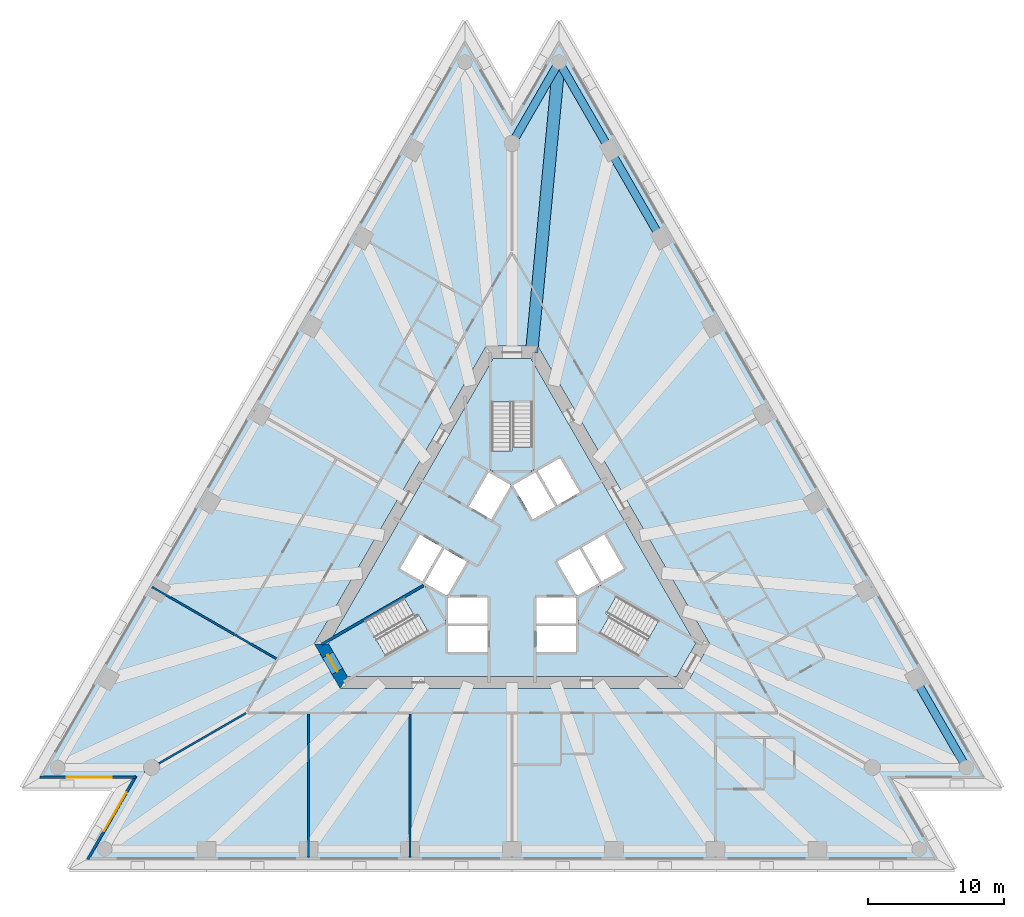
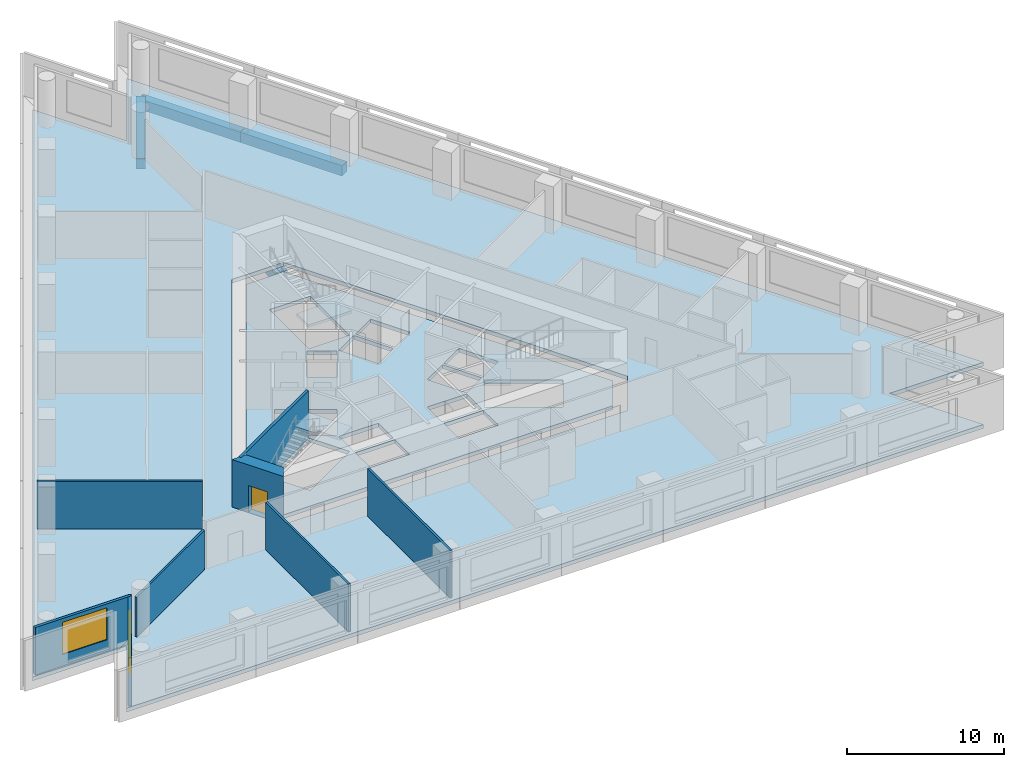
# One storey, part 2 of 9: 8 walls, 5 beams, 5 slabs, 2 windows, 1 door, 3 openings, 3 elements without a shape of their own.
"""IFC4 building model written with IfcOpenShell, lengths in metres."""

from ifc_helpers import new_model, si_unit, direction, frame, frame_2d, origin, origin_2d, place, context, subcontext, project, spatial, polyline, rectangle, outline, extrude, material, layer, layer_set, layer_usage, material_profile, profile_set, type_object, element, fill, aggregate, save


model = new_model("IFC4")

# Units and contexts
model_context = context("Model", 3, precision=1e-05, world=origin(), true_north=direction((0.0, 1.0)))
body_context = subcontext(model_context, "Body", "Model", "MODEL_VIEW")
ifc_project = project(units=[si_unit("LENGTHUNIT", "METRE"), si_unit("AREAUNIT", "SQUARE_METRE"), si_unit("VOLUMEUNIT", "CUBIC_METRE"), si_unit("PLANEANGLEUNIT", "RADIAN"), si_unit("MASSUNIT", "GRAM", prefix="KILO")], contexts=[model_context])

# Site, building, storey
site_placement = place(None, origin())
site = spatial("IfcSite", under=ifc_project, at=site_placement, CompositionType="ELEMENT")
building_placement = place(site_placement, origin())
building = spatial("IfcBuilding", under=site, at=building_placement, Name="Triada Interchange Tower", CompositionType="ELEMENT")
storey_placement = place(building_placement, frame((0.0, 0.0, 51.300048828125)))
storey = spatial("IfcBuildingStorey", under=building, at=storey_placement, Name="L10", CompositionType="ELEMENT", Elevation=51.300048828125)

# Beams
ifc_material_1 = material(Name="Concrete C50/60", Category="concrete")
ifc_material_profile_1 = material_profile(ifc_material_1, rectangle(XDim=0.89990234375, YDim=0.85009765625, at=origin_2d()), Name="RC 900x850")
ifc_profile_set_1 = profile_set([ifc_material_profile_1], Name="Concrete C50/60")
beam_type_1 = type_object("IfcBeamType", Name="Radial band beam A RC 900x850", PredefinedType="BEAM", material=ifc_profile_set_1)
beam_1_placement = place(storey_placement, frame((3.4619140625, 36.617919921875, -0.72509765625), z_axis=(-0.09411553587, -0.995561281844, 0.0), x_axis=(0.995561281844, -0.09411553587, 0.0)))
element("IfcBeam", 1, at=beam_1_placement, inside=storey, type_object=beam_type_1, Name="Radial band beam BA29 L10", PredefinedType="BEAM", context=body_context, shape_type="SweptSolid", body=[
    extrude(rectangle(XDim=0.89990234375, YDim=0.85009765625, at=origin_2d()), origin(), (0.0, 0.0, 1.0), 21.463134765625),
])
ifc_material_profile_2 = material_profile(ifc_material_1, rectangle(XDim=0.60009765625, YDim=0.800048828125, at=origin_2d()), Name="RC 600x800")
ifc_profile_set_2 = profile_set([ifc_material_profile_2], Name="Concrete C50/60")
beam_type_2 = type_object("IfcBeamType", Name="Spandrel beam A RC 600x800", PredefinedType="BEAM", material=ifc_profile_set_2)
beam_2_placement = place(storey_placement, frame((33.443115234375, -15.31103515625, -0.699951171875), z_axis=(-0.500048573981, 0.865997357767, 0.0), x_axis=(-0.865997357767, -0.500048573981, 0.0)))
element("IfcBeam", 2, at=beam_2_placement, inside=storey, type_object=beam_type_2, Name="Spandrel beam EA21 L10", PredefinedType="BEAM", context=body_context, shape_type="SweptSolid", body=[
    extrude(rectangle(XDim=0.60009765625, YDim=0.800048828125, at=origin_2d()), origin(), (0.0, 0.0, 1.0), 7.495361328125),
])
beam_3_placement = place(storey_placement, frame((10.95703125, 23.635986328125, -0.699951171875), z_axis=(-0.49995085413, 0.866053776307, 0.0), x_axis=(-0.866053776307, -0.49995085413, 0.0)))
element("IfcBeam", 3, at=beam_3_placement, inside=storey, type_object=beam_type_2, Name="Spandrel beam EA27 L10", PredefinedType="BEAM", context=body_context, shape_type="SweptSolid", body=[
    extrude(rectangle(XDim=0.60009765625, YDim=0.800048828125, at=origin_2d()), origin(), (0.0, 0.0, 1.0), 7.494873046875),
])
beam_4_placement = place(storey_placement, frame((7.2099609375, 30.126953125, -0.699951171875), z_axis=(-0.500048573981, 0.865997357767, 0.0), x_axis=(-0.865997357767, -0.500048573981, 0.0)))
element("IfcBeam", 4, at=beam_4_placement, inside=storey, type_object=beam_type_2, Name="Spandrel beam EA28 L10", PredefinedType="BEAM", context=body_context, shape_type="SweptSolid", body=[
    extrude(rectangle(XDim=0.60009765625, YDim=0.800048828125, at=origin_2d()), origin(), (0.0, 0.0, 1.0), 7.495361328125),
])
beam_5_placement = place(storey_placement, frame((3.4619140625, 36.617919921875, -0.699951171875), z_axis=(-0.50002260502, -0.866012352376, 0.0), x_axis=(0.866012352376, -0.50002260502, 0.0)))
element("IfcBeam", 5, at=beam_5_placement, inside=storey, type_object=beam_type_2, Name="Spandrel beam EA29 L10", PredefinedType="BEAM", context=body_context, shape_type="SweptSolid", body=[
    extrude(rectangle(XDim=0.60009765625, YDim=0.800048828125, at=origin_2d()), origin(), (0.0, 0.0, 1.0), 6.923583984375),
])

# Slabs
ifc_layer_1 = layer(ifc_material_1, 0.300048828125)
ifc_layer_set_1 = layer_set([ifc_layer_1], Name="Floor slab 300")
slab_type_1 = type_object("IfcSlabType", Name="Floor slab 300", PredefinedType="FLOOR", material=ifc_layer_set_1)
slab_1_placement = place(storey_placement, frame((0.0, 0.0, -0.300048828125)))
element("IfcSlab", 6, at=slab_1_placement, inside=storey, type_object=slab_type_1, Name="Floor slab L10", PredefinedType="FLOOR", context=body_context, shape_type="SweptSolid", body=[
    extrude(outline(polyline([(-3.4619140625, 38.41796875), (-35.001953125, -16.2109375), (-28.077880859375, -16.2109375), (-31.5400390625, -22.20703125), (31.5400390625, -22.20703125), (28.077880859375, -16.2109375), (35.001953125, -16.2109375), (3.4619140625, 38.41796875), (0.0, 32.422119140625), (-3.4619140625, 38.41796875)]), holes=[polyline([(1.905029296875, 15.699951171875), (-1.905029296875, 15.699951171875), (-14.549072265625, -6.199951171875), (-12.64404296875, -9.5), (12.64404296875, -9.5), (14.549072265625, -6.199951171875), (1.905029296875, 15.699951171875)])]), origin(), (0.0, 0.0, 1.0), 0.300048828125),
])
slab_2_placement = place(storey_placement, frame((0.0, 0.0, -0.300048828125)))
element("IfcSlab", 7, at=slab_2_placement, inside=storey, type_object=slab_type_1, Name="Core floor slab L10 1", PredefinedType="FLOOR", context=body_context, shape_type="SweptSolid", body=[
    extrude(outline(polyline([(13.510009765625, -6.199951171875), (12.1240234375, -8.60009765625), (-12.1240234375, -8.60009765625), (-13.510009765625, -6.199951171875), (-1.385986328125, 14.800048828125), (1.385986328125, 14.800048828125), (13.510009765625, -6.199951171875)]), holes=[polyline([(9.2958984375, -7.09912109375), (10.7958984375, -4.5009765625), (6.466064453125, -2.0009765625), (4.966064453125, -4.59912109375), (9.2958984375, -7.09912109375)]), polyline([(6.7890625, 1.841064453125), (5.14404296875, 0.89111328125), (6.593994140625, -1.6201171875), (8.239013671875, -0.669921875), (6.7890625, 1.841064453125)]), polyline([(4.969970703125, 0.791015625), (3.324951171875, -0.158935546875), (4.77490234375, -2.669921875), (6.419921875, -1.719970703125), (4.969970703125, 0.791015625)]), polyline([(1.89404296875, 6.52001953125), (3.343994140625, 4.009033203125), (4.989013671875, 4.958984375), (3.5390625, 7.469970703125), (1.89404296875, 6.52001953125)]), polyline([(1.800048828125, -4.89990234375), (1.800048828125, -6.800048828125), (4.699951171875, -6.800048828125), (4.699951171875, -4.89990234375), (1.800048828125, -4.89990234375)]), polyline([(1.800048828125, -2.800048828125), (1.800048828125, -4.031005859375), (1.800048828125, -4.699951171875), (4.699951171875, -4.699951171875), (4.699951171875, -2.800048828125), (1.800048828125, -2.800048828125)]), polyline([(1.52490234375, 2.958984375), (1.68408203125, 3.051025390625), (3.169921875, 3.908935546875), (1.719970703125, 6.419921875), (0.074951171875, 5.469970703125), (1.52490234375, 2.958984375)]), polyline([(1.5, 11.60009765625), (-1.5, 11.60009765625), (-1.5, 6.60009765625), (1.5, 6.60009765625), (1.5, 11.60009765625)]), polyline([(-0.074951171875, 5.469970703125), (-1.719970703125, 6.419921875), (-3.169921875, 3.908935546875), (-1.6298828125, 3.01904296875), (-1.52490234375, 2.958984375), (-0.074951171875, 5.469970703125)]), polyline([(-4.699951171875, -2.800048828125), (-4.699951171875, -4.699951171875), (-1.800048828125, -4.699951171875), (-1.800048828125, -4.031005859375), (-1.800048828125, -2.800048828125), (-4.699951171875, -2.800048828125)]), polyline([(-4.699951171875, -4.89990234375), (-4.699951171875, -6.800048828125), (-1.800048828125, -6.800048828125), (-1.800048828125, -4.89990234375), (-4.699951171875, -4.89990234375)]), polyline([(-4.77490234375, -2.669921875), (-3.324951171875, -0.158935546875), (-4.969970703125, 0.791015625), (-6.419921875, -1.719970703125), (-4.77490234375, -2.669921875)]), polyline([(-10.7958984375, -4.5009765625), (-9.2958984375, -7.09912109375), (-4.966064453125, -4.59912109375), (-6.466064453125, -2.0009765625), (-10.7958984375, -4.5009765625)]), polyline([(-6.593994140625, -1.6201171875), (-5.14404296875, 0.89111328125), (-6.7890625, 1.841064453125), (-8.239013671875, -0.669921875), (-6.593994140625, -1.6201171875)])]), origin(), (0.0, 0.0, 1.0), 0.300048828125),
])

# Stair, slab
ifc_material_2 = material(Name="Concrete C35/45", Category="concrete")
stair_type = type_object("IfcStairType", Name="HALF TURN STAIR 1400", PredefinedType="HALF_TURN_STAIR", material=ifc_material_2)
stair_1_placement = place(storey_placement, origin())
stair_1 = element("IfcStair", 8, at=stair_1_placement, inside=storey, type_object=stair_type, Name="Exit stair S09-1", PredefinedType="HALF_TURN_STAIR")
ifc_layer_2 = layer(ifc_material_2, 0.199951171875)
ifc_layer_set_2 = layer_set([ifc_layer_2], Name="STAIR LANDING 200")
slab_type_2 = type_object("IfcSlabType", Name="STAIR LANDING 200", PredefinedType="LANDING", material=ifc_layer_set_2)
slab_3_placement = place(storey_placement, frame((0.0, 0.0, 1.719970703125)))
slab_3 = element("IfcSlab", 9, at=slab_3_placement, type_object=slab_type_2, Name="S09-1 landing 1", PredefinedType="LANDING", context=body_context, shape_type="SweptSolid", body=[
    extrude(outline(polyline([(1.60009765625, 6.5), (1.60009765625, 8.300048828125), (0.0, 8.300048828125), (0.0, 8.0), (-1.60009765625, 8.0), (-1.60009765625, 6.5), (1.60009765625, 6.5)])), origin(), (0.0, 0.0, 1.0), 0.199951171875),
])
aggregate(stair_1, [slab_3])

stair_2_placement = place(storey_placement, origin())
stair_2 = element("IfcStair", 10, at=stair_2_placement, inside=storey, type_object=stair_type, Name="Exit stair S09-2", PredefinedType="HALF_TURN_STAIR")
slab_4_placement = place(storey_placement, frame((0.0, 0.0, 1.719970703125)))
slab_4 = element("IfcSlab", 11, at=slab_4_placement, type_object=slab_type_2, Name="S09-2 landing 1", PredefinedType="LANDING", context=body_context, shape_type="SweptSolid", body=[
    extrude(outline(polyline([(-6.428955078125, -1.864013671875), (-7.988037109375, -2.763916015625), (-7.18798828125, -4.14990234375), (-6.927978515625, -4.0), (-6.1279296875, -5.385986328125), (-4.8291015625, -4.635986328125), (-6.428955078125, -1.864013671875)])), origin(), (0.0, 0.0, 1.0), 0.199951171875),
])
aggregate(stair_2, [slab_4])

stair_3_placement = place(storey_placement, origin())
stair_3 = element("IfcStair", 12, at=stair_3_placement, inside=storey, type_object=stair_type, Name="Exit stair S09-3", PredefinedType="HALF_TURN_STAIR")
slab_5_placement = place(storey_placement, frame((0.0, 0.0, 1.719970703125)))
slab_5 = element("IfcSlab", 13, at=slab_5_placement, type_object=slab_type_2, Name="S09-3 landing 1", PredefinedType="LANDING", context=body_context, shape_type="SweptSolid", body=[
    extrude(outline(polyline([(4.8291015625, -4.635986328125), (6.387939453125, -5.535888671875), (7.18798828125, -4.14990234375), (6.927978515625, -4.0), (7.72802734375, -2.614013671875), (6.428955078125, -1.864013671875), (4.8291015625, -4.635986328125)])), origin(), (0.0, 0.0, 1.0), 0.199951171875),
])
aggregate(stair_3, [slab_5])

# Wall
ifc_material_3 = material(Name="Concrete C30/37", Category="concrete")
ifc_layer_3 = layer(ifc_material_3, 0.199951171875)
ifc_layer_set_3 = layer_set([ifc_layer_3], Name="CORE WALL 200 REI 240")
wall_type_1 = type_object("IfcWallType", Name="CORE WALL 200 REI 240", PredefinedType="SOLIDWALL", material=ifc_layer_set_3)
wall_1_placement = place(storey_placement, frame((-13.989990234375, -6.22900390625, 0.0), z_axis=(0.0, 0.0, 1.0), x_axis=(0.866060059011, 0.499939970583, 0.0)))
element("IfcWall", 14, at=wall_1_placement, inside=storey, type_object=wall_type_1, Name="Wall L09 75", PredefinedType="SOLIDWALL", context=body_context, shape_type="SweptSolid", body=[
    extrude(rectangle(XDim=8.61474609375, YDim=0.199951171875, at=frame_2d((4.307373046875, 0.0))), origin(), (0.0, 0.0, 1.0), 3.699951171875),
])

# Wall, opening, door
ifc_material_4 = material(Name="Concrete C70/85", Category="concrete")
ifc_layer_4 = layer(ifc_material_4, 0.89990234375)
ifc_layer_set_4 = layer_set([ifc_layer_4], Name="Core wall A 900")
wall_type_2 = type_object("IfcWallType", Name="Core wall A 900", PredefinedType="SHEAR", material=ifc_layer_set_4)
wall_2_placement = place(storey_placement, frame((-14.030029296875, -6.199951171875, -0.300048828125), z_axis=(0.0, 0.0, 1.0), x_axis=(0.500111984565, -0.865960739811, 0.0)))
wall_2 = element("IfcWall", 15, at=wall_2_placement, inside=storey, type_object=wall_type_2, Name="Core wall WA03 L10", PredefinedType="SHEAR", context=body_context, shape_type="SweptSolid", body=[
    extrude(outline(polyline([(-0.260009765625, -0.448974609375), (1.6455078125, -0.449462890625), (3.551025390625, -0.449951171875), (3.031982421875, 0.449951171875), (1.64599609375, 0.449951171875), (0.260009765625, 0.449951171875), (-0.260009765625, -0.448974609375)])), origin(), (0.0, 0.0, 1.0), 4.0),
])
opening_1_placement = place(wall_2_placement, frame((0.946044921875, 0.0, 0.300048828125)))
opening_1 = element("IfcOpeningElement", 16, at=opening_1_placement, cuts=wall_2, Name="Opening D09-37", PredefinedType="OPENING", context=body_context, shape_type="SweptSolid", body=[
    extrude(rectangle(XDim=1.39990234375, YDim=2.10009765625, at=frame_2d((0.699951171875, 1.050048828125))), frame((0.0, 0.4599609375, 0.0), z_axis=(0.0, -1.0, 0.0), x_axis=(1.0, 0.0, 0.0)), (0.0, 0.0, 1.0), 0.919921875),
])
ifc_material_5 = material(Name="Steel S235 door leaf", Category="steel")
door_type = type_object("IfcDoorType", Name="STAIR DOOR 1400 EI2 90-C5S200", OperationType="DOUBLE_DOOR_SINGLE_SWING", PredefinedType="DOOR", material=ifc_material_5)
door_placement = place(opening_1_placement, origin())
door = element("IfcDoor", 17, at=door_placement, inside=storey, type_object=door_type, Name="Door D09-37 L10", OperationType="DOUBLE_DOOR_SINGLE_SWING", OverallHeight=2.10009765625, OverallWidth=1.39990234375, PredefinedType="DOOR", context=body_context, shape_type="SweptSolid", body=[
    extrude(rectangle(XDim=1.39990234375, YDim=2.10009765625, at=frame_2d((0.699951171875, 1.050048828125))), frame((0.0, 0.02490234375, 0.0), z_axis=(0.0, -1.0, 0.0), x_axis=(1.0, 0.0, 0.0)), (0.0, 0.0, 1.0), 0.050048828125),
])
fill(opening_1, door)

# Wall, opening, window
ifc_material_6 = material(Name="Cement board")
ifc_layer_5 = layer(ifc_material_6, 0.02001953125, Name="Cement board cladding")
ifc_material_7 = material(Name="Sheathing board")
ifc_layer_6 = layer(ifc_material_7, 0.014892578125, Name="Sheathing board")
ifc_material_8 = material(Name="Mineral wool")
ifc_layer_7 = layer(ifc_material_8, 0.14990234375, Name="Mineral wool between steel studs")
ifc_material_9 = material(Name="Gypsum board")
ifc_layer_8 = layer(ifc_material_9, 0.014892578125, Name="Plasterboard lining")
ifc_layer_set_5 = layer_set([ifc_layer_5, ifc_layer_6, ifc_layer_7, ifc_layer_8], Name="External wall 200")
ifc_layer_usage = layer_usage(ifc_layer_set_5, "AXIS2", "POSITIVE", -0.10009765625)
wall_type_3 = type_object("IfcWallType", Name="External wall 200", PredefinedType="ELEMENTEDWALL", material=ifc_layer_set_5)
wall_3_placement = place(storey_placement, frame((-34.74609375, -16.010986328125, 0.0), z_axis=(0.0, 0.0, 1.0), x_axis=(1.0, 0.0, 0.0)))
wall_3 = element("IfcWall", 18, at=wall_3_placement, inside=storey, type_object=wall_type_3, material=ifc_layer_usage, Name="External wall L10 SW-1", PredefinedType="ELEMENTEDWALL", context=body_context, shape_type="SweptSolid", body=[
    extrude(rectangle(XDim=7.083984375, YDim=0.199951171875, at=frame_2d((3.5419921875, 0.0))), origin(), (0.0, 0.0, 1.0), 3.699951171875),
])
opening_2_placement = place(wall_3_placement, frame((1.989990234375, 0.0, 0.89990234375)))
opening_2 = element("IfcOpeningElement", 19, at=opening_2_placement, cuts=wall_3, Name="Opening WA09", PredefinedType="OPENING", context=body_context, shape_type="SweptSolid", body=[
    extrude(rectangle(XDim=3.300048828125, YDim=2.5, at=frame_2d((1.64990234375, 1.25))), frame((0.0, 0.10986328125, 0.0), z_axis=(0.0, -1.0, 0.0), x_axis=(1.0, 0.0, 0.0)), (0.0, 0.0, 1.0), 0.219970703125),
])
ifc_material_10 = material(Name="Double glazed aluminium window", Category="aluminium")
window_type = type_object("IfcWindowType", Name="Ribbon window A pocket", PartitioningType="SINGLE_PANEL", PredefinedType="WINDOW", material=ifc_material_10)
window_1_placement = place(opening_2_placement, origin())
window_1 = element("IfcWindow", 20, at=window_1_placement, inside=storey, type_object=window_type, Name="Window L10 SW-1 1", OverallHeight=2.5, OverallWidth=3.300048828125, PartitioningType="SINGLE_PANEL", PredefinedType="WINDOW", context=body_context, shape_type="SweptSolid", body=[
    extrude(rectangle(XDim=3.300048828125, YDim=2.5, at=frame_2d((1.64990234375, 1.25))), frame((0.0, 0.030029296875, 0.0), z_axis=(0.0, -1.0, 0.0), x_axis=(1.0, 0.0, 0.0)), (0.0, 0.0, 1.0), 0.06005859375),
])
fill(opening_2, window_1)

wall_4_placement = place(storey_placement, frame((-27.68701171875, -15.93310546875, 0.0), z_axis=(0.0, 0.0, 1.0), x_axis=(-0.499993928037, -0.866028909405, 0.0)))
wall_4 = element("IfcWall", 21, at=wall_4_placement, inside=storey, type_object=wall_type_3, material=ifc_layer_usage, Name="External wall L10 SW-2", PredefinedType="ELEMENTEDWALL", context=body_context, shape_type="SweptSolid", body=[
    extrude(rectangle(XDim=7.083984375, YDim=0.199951171875, at=frame_2d((3.5419921875, 0.0))), origin(), (0.0, 0.0, 1.0), 3.699951171875),
])
opening_3_placement = place(wall_4_placement, frame((1.389892578125, 0.0, 0.89990234375)))
opening_3 = element("IfcOpeningElement", 22, at=opening_3_placement, cuts=wall_4, Name="Opening WA10", PredefinedType="OPENING", context=body_context, shape_type="SweptSolid", body=[
    extrude(rectangle(XDim=3.300048828125, YDim=2.5, at=frame_2d((1.64990234375, 1.25))), frame((0.0, 0.10986328125, 0.0), z_axis=(0.0, -1.0, 0.0), x_axis=(1.0, 0.0, 0.0)), (0.0, 0.0, 1.0), 0.219970703125),
])
window_2_placement = place(opening_3_placement, origin())
window_2 = element("IfcWindow", 23, at=window_2_placement, inside=storey, type_object=window_type, Name="Window L10 SW-2 1", OverallHeight=2.5, OverallWidth=3.300048828125, PartitioningType="SINGLE_PANEL", PredefinedType="WINDOW", context=body_context, shape_type="SweptSolid", body=[
    extrude(rectangle(XDim=3.300048828125, YDim=2.5, at=frame_2d((1.64990234375, 1.25))), frame((0.0, 0.030029296875, 0.0), z_axis=(0.0, -1.0, 0.0), x_axis=(1.0, 0.0, 0.0)), (0.0, 0.0, 1.0), 0.06005859375),
])
fill(opening_3, window_2)

# Walls
ifc_material_11 = material(Name="Gypsum board partition")
ifc_layer_9 = layer(ifc_material_11, 0.14990234375)
ifc_layer_set_6 = layer_set([ifc_layer_9], Name="PARTITION 150 EI 180")
wall_type_4 = type_object("IfcWallType", Name="PARTITION 150 EI 180", PredefinedType="PARTITIONING", material=ifc_layer_set_6)
wall_5_placement = place(storey_placement, frame((-27.055908203125, -15.62109375, 0.0), z_axis=(0.0, 0.0, 1.0), x_axis=(0.866014334421, 0.50001917221, 0.0)))
element("IfcWall", 24, at=wall_5_placement, inside=storey, type_object=wall_type_4, Name="Wall L09 1", PredefinedType="PARTITIONING", context=body_context, shape_type="SweptSolid", body=[
    extrude(rectangle(XDim=8.641845703125, YDim=0.14990234375, at=frame_2d((4.32080078125, 0.0))), origin(), (0.0, 0.0, 1.0), 3.099853515625),
])
wall_6_placement = place(storey_placement, frame((-26.485107421875, -2.01904296875, 0.0), z_axis=(0.0, 0.0, 1.0), x_axis=(0.866027613664, -0.499996172356, 0.0)))
element("IfcWall", 25, at=wall_6_placement, inside=storey, type_object=wall_type_4, Name="Wall L09 3", PredefinedType="PARTITIONING", context=body_context, shape_type="SweptSolid", body=[
    extrude(rectangle(XDim=10.5517578125, YDim=0.14990234375, at=frame_2d((5.27587890625, 0.0))), origin(), (0.0, 0.0, 1.0), 3.699951171875),
])
for number, where, z_axis, x_axis, name in (
    (26, (-14.989990234375, -21.927001953125, 0.0), (0.0, 0.0, 1.0), (0.0, 1.0, 0.0), "Wall L09 8"),
    (27, (-7.4951171875, -21.927001953125, 0.0), (0.0, 0.0, 1.0), (0.0, 1.0, 0.0), "Wall L09 13"),
):
    element("IfcWall", number, at=place(storey_placement, frame(where, z_axis=z_axis, x_axis=x_axis)), inside=storey, type_object=wall_type_4, Name=name, PredefinedType="PARTITIONING", context=body_context, shape_type="SweptSolid", body=[
        extrude(rectangle(XDim=10.552001953125, YDim=0.14990234375, at=frame_2d((5.27587890625, 0.0))), origin(), (0.0, 0.0, 1.0), 3.699951171875),
    ])

save(model, "model.ifc")
